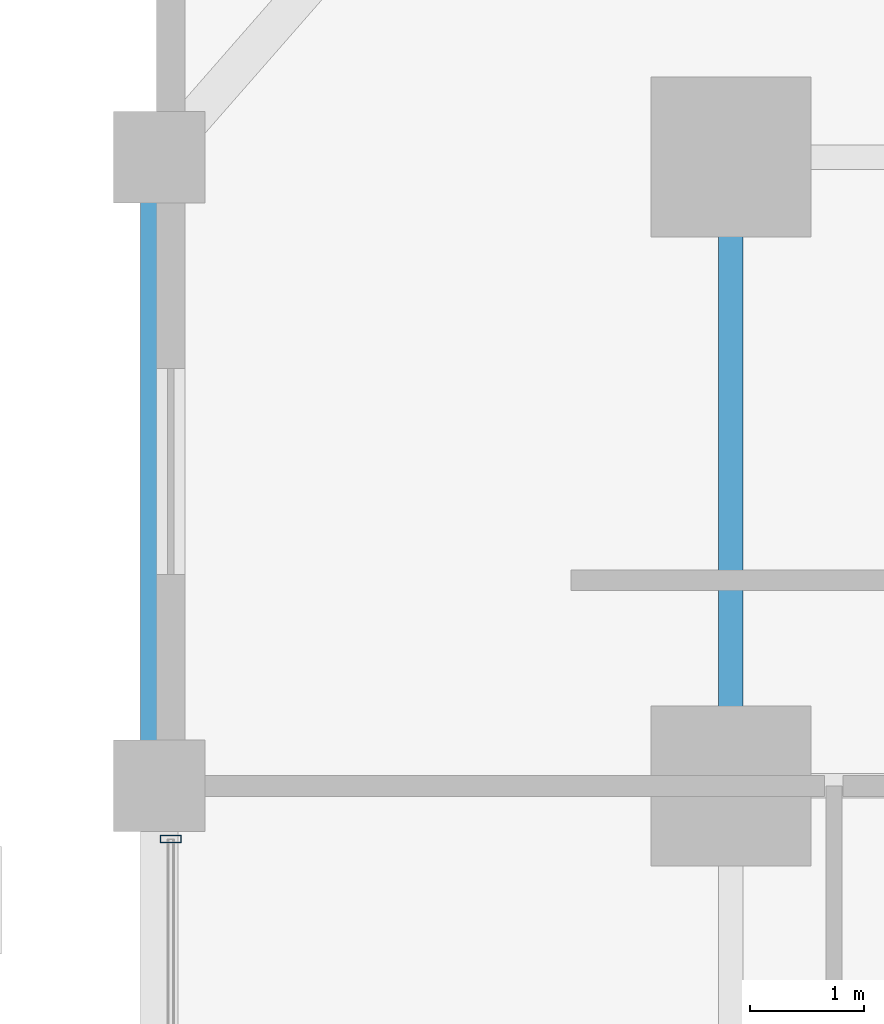
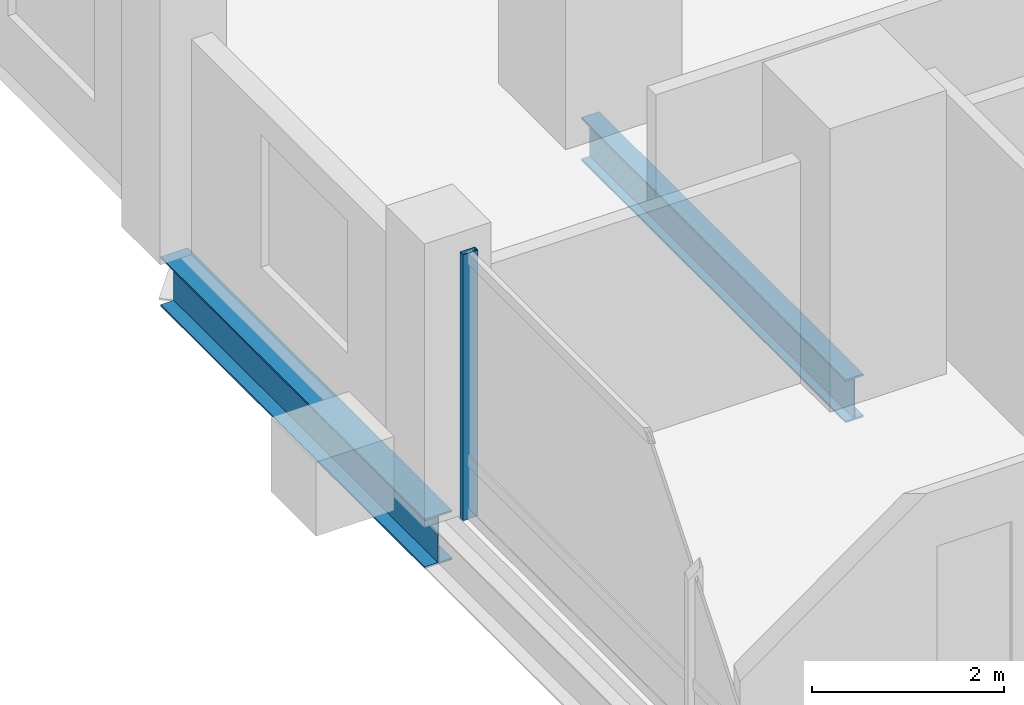
# One storey, part 11 of 23: 2 beams, 1 member, 1 element without a shape of its own.
"""IFC4 building model written with IfcOpenShell, lengths in metres."""

import ifcopenshell
import ifcopenshell.guid

model = None  # the IFC model being written
_history = None  # IfcOwnerHistory: only IFC2X3 demands one
_inside = {}  # id of a spatial element -> (the spatial element, [elements in it])
_under = {}  # id of a project, library or spatial element -> (it, [spatial elements below it])
_declared = {}  # id of a project -> (the project, [libraries it declares])
_typed = {}  # id of a type object -> (the type object, [elements of that type])
_made_of = {}  # id of a material, layer set ... -> (it, [elements and type objects made of it])


def new_model(schema):
    """Start an empty IFC model of exactly this schema.

    Asked for "IFC4X3", IfcOpenShell would pick the latest addendum, in which some entities
    have other attributes; the version numbers below select the first issue.
    IFC2X3 requires an IfcOwnerHistory on every rooted entity: one is made here for all.
    """
    global model, _history
    if schema == "IFC4X3":
        model = ifcopenshell.file(schema_version=(4, 3, 0, 0))
    else:
        model = ifcopenshell.file(schema=schema)
    _inside.clear()
    _under.clear()
    _declared.clear()
    _typed.clear()
    _made_of.clear()
    _history = None
    if model.schema == "IFC2X3":
        org = make("IfcOrganization", Name="unknown")
        user = make(
            "IfcPersonAndOrganization",
            ThePerson=make("IfcPerson", FamilyName="unknown"),
            TheOrganization=org,
        )
        app = make(
            "IfcApplication",
            ApplicationDeveloper=org,
            Version="unknown",
            ApplicationFullName="unknown",
            ApplicationIdentifier="unknown",
        )
        _history = make(
            "IfcOwnerHistory",
            OwningUser=user,
            OwningApplication=app,
            ChangeAction="ADDED",
            CreationDate=0,
        )
    return model


def make(cls, **values):
    """One entity of the class cls with the attributes given. An attribute that is None is left unset."""
    return model.create_entity(
        cls, **{name: value for name, value in values.items() if value is not None}
    )


def rooted(cls, **values):
    """An entity with a GlobalId (a new one), such as an element, a storey or a relation."""
    return make(cls, GlobalId=ifcopenshell.guid.new(), OwnerHistory=_history, **values)


def si_unit(unit_type, name, prefix=None):
    """IfcSIUnit, for example si_unit("LENGTHUNIT", "METRE", prefix="MILLI")."""
    return make("IfcSIUnit", UnitType=unit_type, Prefix=prefix, Name=name)


def assignment(units):
    """IfcUnitAssignment: the units of a project."""
    return None if units is None else make("IfcUnitAssignment", Units=units)


def point(xyz):
    """IfcCartesianPoint."""
    return None if xyz is None else make("IfcCartesianPoint", Coordinates=xyz)


def direction(xyz):
    """IfcDirection."""
    return None if xyz is None else make("IfcDirection", DirectionRatios=xyz)


def frame(location, z_axis=None, x_axis=None):
    """IfcAxis2Placement3D, a coordinate frame: its origin and axes. An axis left out is left unset."""
    return make(
        "IfcAxis2Placement3D",
        Location=point(location),
        Axis=direction(z_axis),
        RefDirection=direction(x_axis),
    )


def frame_2d(location, x_axis=None):
    """IfcAxis2Placement2D, a coordinate frame in the plane: its origin and x axis."""
    return make(
        "IfcAxis2Placement2D", Location=point(location), RefDirection=direction(x_axis)
    )


def origin():
    """The frame at (0, 0, 0) with its axes left unset."""
    return frame((0.0, 0.0, 0.0))


def origin_2d():
    """The frame at (0, 0) in the plane with its x axis left unset."""
    return frame_2d((0.0, 0.0))


def place(relative_to, where):
    """IfcLocalPlacement: puts the frame where relative to a parent placement (None: the world)."""
    return make(
        "IfcLocalPlacement", PlacementRelTo=relative_to, RelativePlacement=where
    )


def context(
    kind, dimensions, precision=None, world=None, true_north=None, identifier=None
):
    """IfcGeometricRepresentationContext, for example the 3D "Model" context."""
    return make(
        "IfcGeometricRepresentationContext",
        ContextIdentifier=identifier,
        ContextType=kind,
        CoordinateSpaceDimension=dimensions,
        Precision=precision,
        WorldCoordinateSystem=world,
        TrueNorth=true_north,
    )


def subcontext(parent, identifier, kind, view, scale=None):
    """IfcGeometricRepresentationSubContext, for example "Body" below "Model"."""
    return make(
        "IfcGeometricRepresentationSubContext",
        ContextIdentifier=identifier,
        ContextType=kind,
        ParentContext=parent,
        TargetScale=scale,
        TargetView=view,
    )


def project(units=None, contexts=None):
    """IfcProject with its units and contexts."""
    return rooted(
        "IfcProject",
        Name="project",
        RepresentationContexts=contexts,
        UnitsInContext=assignment(units),
    )


def spatial(cls, under=None, at=None, **own):
    """A site, building, storey or space (cls), placed at a placement, below another one or the project."""
    s = rooted(cls, ObjectPlacement=at, **own)
    if under is not None:
        _under.setdefault(under.id(), (under, []))[1].append(s)
    return s


def profile(cls, at=None, kind="AREA", **sizes):
    """A parametric profile (cls). Its sizes go by their IFC names, for example OverallWidth=200.0."""
    return make(cls, ProfileType=kind, Position=at, **sizes)


def hollow_rectangle(**sizes):
    """IfcRectangleHollowProfileDef."""
    return profile("IfcRectangleHollowProfileDef", **sizes)


def i_section(**sizes):
    """IfcIShapeProfileDef."""
    return profile("IfcIShapeProfileDef", **sizes)


def extrude(swept, where, along, depth):
    """IfcExtrudedAreaSolid: the profile swept, set in the frame where, extruded along a direction by depth."""
    return make(
        "IfcExtrudedAreaSolid",
        SweptArea=swept,
        Position=where,
        ExtrudedDirection=direction(along),
        Depth=depth,
    )


def shape(context_of_items, identifier, shape_type, items):
    """IfcShapeRepresentation: the items that make up one representation, for example the "Body"."""
    return make(
        "IfcShapeRepresentation",
        ContextOfItems=context_of_items,
        RepresentationIdentifier=identifier,
        RepresentationType=shape_type,
        Items=items,
    )


def material(Name=None, Category=None):
    """IfcMaterial."""
    return make("IfcMaterial", Name=Name, Category=Category)


def layer(
    of_material, thickness, ventilated=None, Name=None, Category=None, Priority=None
):
    """IfcMaterialLayer: one layer of a wall or slab, of a material (None: an air gap)."""
    return make(
        "IfcMaterialLayer",
        Material=of_material,
        LayerThickness=thickness,
        IsVentilated=ventilated,
        Name=Name,
        Category=Category,
        Priority=Priority,
    )


def layer_set(layers, Name=None):
    """IfcMaterialLayerSet."""
    return make("IfcMaterialLayerSet", MaterialLayers=layers, LayerSetName=Name)


def material_profile(
    of_material, cross_section, Name=None, Category=None, Priority=None
):
    """IfcMaterialProfile: a cross section and its material."""
    return make(
        "IfcMaterialProfile",
        Name=Name,
        Material=of_material,
        Profile=cross_section,
        Priority=Priority,
        Category=Category,
    )


def profile_set(profiles, Name=None, composite=None):
    """IfcMaterialProfileSet."""
    return make(
        "IfcMaterialProfileSet",
        Name=Name,
        MaterialProfiles=profiles,
        CompositeProfile=composite,
    )


def made_of(thing, what):
    """Note that an element or type object is made of a material, layer set ...; save() writes the relation."""
    if what is not None:
        _made_of.setdefault(what.id(), (what, []))[1].append(thing)
    return thing


def type_object(cls, material=None, **own):
    """A type object (cls), such as IfcWallType, which elements share."""
    return made_of(rooted(cls, **own), material)


def element(
    cls,
    number,
    at=None,
    inside=None,
    cuts=None,
    type_object=None,
    material=None,
    context=None,
    identifier="Body",
    shape_type=None,
    held_by="IfcProductDefinitionShape",
    body=None,
    shapes=None,
    **own,
):
    """One element of the class cls, such as IfcWall. Its Tag is "e" and its number.

    at: its placement. inside: the storey or other place that contains it. cuts: it is an
    opening in that element (IfcRelVoidsElement). A single representation is given by context,
    identifier, shape_type and body (its items); several are given by shapes. held_by: the class
    of the entity that holds the representations. save() writes the other relations.
    """
    e = rooted(cls, Tag="e%d" % number, ObjectPlacement=at, **own)
    if body is not None:
        shapes = [shape(context, identifier, shape_type, body)]
    if shapes is not None:
        e.Representation = make(held_by, Representations=shapes)
    if inside is not None:
        _inside.setdefault(inside.id(), (inside, []))[1].append(e)
    if cuts is not None:
        rooted(
            "IfcRelVoidsElement", RelatingBuildingElement=cuts, RelatedOpeningElement=e
        )
    if type_object is not None:
        _typed.setdefault(type_object.id(), (type_object, []))[1].append(e)
    return made_of(e, material)


def aggregate(whole, parts):
    """IfcRelAggregates: a whole, such as a stair, and the parts it consists of."""
    return rooted("IfcRelAggregates", RelatingObject=whole, RelatedObjects=parts)


def save(model, path):
    """Write the relations noted so far, then the file.

    IfcRelAggregates (storeys below a building ...), IfcRelContainedInSpatialStructure (elements
    in a storey), IfcRelDefinesByType, IfcRelAssociatesMaterial and IfcRelDeclares: one each for
    every whole, place, type object, material and project.
    """
    for whole, parts in _under.values():
        aggregate(whole, parts)
    for where, things in _inside.values():
        rooted(
            "IfcRelContainedInSpatialStructure",
            RelatedElements=things,
            RelatingStructure=where,
        )
    for kind, things in _typed.values():
        rooted("IfcRelDefinesByType", RelatedObjects=things, RelatingType=kind)
    for what, things in _made_of.values():
        rooted("IfcRelAssociatesMaterial", RelatedObjects=things, RelatingMaterial=what)
    for by, libraries in _declared.values():
        rooted("IfcRelDeclares", RelatingContext=by, RelatedDefinitions=libraries)
    model.write(path)


model = new_model("IFC4")

# Units and contexts
model_context = context("Model", 3, precision=1e-05, world=origin(), true_north=direction((0.0, 1.0)))
body_context = subcontext(model_context, "Body", "Model", "MODEL_VIEW")
ifc_project = project(units=[si_unit("LENGTHUNIT", "METRE"), si_unit("AREAUNIT", "SQUARE_METRE"), si_unit("VOLUMEUNIT", "CUBIC_METRE"), si_unit("PLANEANGLEUNIT", "RADIAN"), si_unit("MASSUNIT", "GRAM", prefix="KILO")], contexts=[model_context])

# Site, building, storey
site_placement = place(None, origin())
site = spatial("IfcSite", under=ifc_project, at=site_placement, CompositionType="ELEMENT")
building_placement = place(site_placement, origin())
building = spatial("IfcBuilding", under=site, at=building_placement, Name="Barlavira Tower and Art Museum", CompositionType="ELEMENT")
storey_placement = place(building_placement, frame((0.0, 0.0, 75.60009765625)))
storey = spatial("IfcBuildingStorey", under=building, at=storey_placement, Name="L18", CompositionType="ELEMENT", Elevation=75.60009765625)

# Curtain wall, member
ifc_material_1 = material(Name="Low-iron coastal laminated glass", Category="glass")
ifc_layer = layer(ifc_material_1, 0.179931640625, Name="Low-iron coastal laminated glass")
ifc_layer_set = layer_set([ifc_layer], Name="Low-iron coastal laminated glass")
curtain_wall_type = type_object("IfcCurtainWallType", Name="Pale-Metal Unitised Curtain Wall Zone 1", PredefinedType="NOTDEFINED", material=ifc_layer_set)
curtain_wall_placement = place(storey_placement, origin())
curtain_wall = element("IfcCurtainWall", 1, at=curtain_wall_placement, inside=storey, type_object=curtain_wall_type, Name="L18 Curtain Wall CW1-L18-W-B3", PredefinedType="NOTDEFINED")
ifc_material_2 = material(Name="Pale anodised aluminium", Category="aluminium")
ifc_material_profile_1 = material_profile(ifc_material_2, hollow_rectangle(XDim=0.06494140625, YDim=0.179931640625, WallThickness=0.00390625, at=origin_2d()), Name="ALU-MULL 65x180x4")
ifc_profile_set_1 = profile_set([ifc_material_profile_1], Name="Pale anodised aluminium")
member_type = type_object("IfcMemberType", Name="Curtain Wall Pale-Metal Mullion 65x180", PredefinedType="MULLION", material=ifc_profile_set_1)
member_placement = place(storey_placement, frame((-21.89990234375, 7.034912109375, 0.0), z_axis=(0.0, 0.0, 1.0), x_axis=(0.0, -1.0, 0.0)))
member = element("IfcMember", 2, at=member_placement, type_object=member_type, Name="CW1-L18-W-B3 Mullion 0", PredefinedType="MULLION", context=body_context, shape_type="SweptSolid", body=[
    extrude(hollow_rectangle(XDim=0.06494140625, YDim=0.179931640625, WallThickness=0.00390625, at=origin_2d()), origin(), (0.0, 0.0, 1.0), 3.3798828125),
])
aggregate(curtain_wall, [member])

# Beams
ifc_material_3 = material(Name="Steel S355", Category="steel")
ifc_material_profile_2 = material_profile(ifc_material_3, i_section(OverallWidth=0.327880859375, OverallDepth=0.62890625, WebThickness=0.013916015625, FlangeThickness=0.021484375, at=origin_2d()), Name="W610x174.0")
ifc_profile_set_2 = profile_set([ifc_material_profile_2], Name="Steel S355")
beam_type_1 = type_object("IfcBeamType", Name="Perimeter Spandrel Edge Beam W610x174 Steel S355", PredefinedType="SPANDREL", material=ifc_profile_set_2)
beam_1_placement = place(storey_placement, frame((-22.0, 7.5, -0.53466796875), z_axis=(0.0, 1.0, 0.0), x_axis=(-1.0, 0.0, 0.0)))
element("IfcBeam", 3, at=beam_1_placement, inside=storey, type_object=beam_type_1, Name="L18 Spandrel 13", PredefinedType="SPANDREL", context=body_context, shape_type="SweptSolid", body=[
    extrude(i_section(OverallWidth=0.327880859375, OverallDepth=0.62890625, WebThickness=0.013916015625, FlangeThickness=0.021484375, at=origin_2d()), origin(), (0.0, 0.0, 1.0), 5.5),
])
ifc_material_profile_3 = material_profile(ifc_material_3, i_section(OverallWidth=0.214111328125, OverallDepth=0.549072265625, WebThickness=0.0146484375, FlangeThickness=0.023681640625, at=origin_2d()), Name="W530x138.0")
ifc_profile_set_3 = profile_set([ifc_material_profile_3], Name="Steel S355")
beam_type_2 = type_object("IfcBeamType", Name="Zone 1 Primary Floor Girder W530x138 Steel S355", PredefinedType="BEAM", material=ifc_profile_set_3)
beam_2_placement = place(storey_placement, frame((-17.0, 7.5, -0.49462890625), z_axis=(0.0, 1.0, 0.0), x_axis=(-1.0, 0.0, 0.0)))
element("IfcBeam", 4, at=beam_2_placement, inside=storey, type_object=beam_type_2, Name="L18 Girder M-W3", PredefinedType="BEAM", context=body_context, shape_type="SweptSolid", body=[
    extrude(i_section(OverallWidth=0.214111328125, OverallDepth=0.549072265625, WebThickness=0.0146484375, FlangeThickness=0.023681640625, at=origin_2d()), origin(), (0.0, 0.0, 1.0), 5.5),
])

save(model, "model.ifc")
